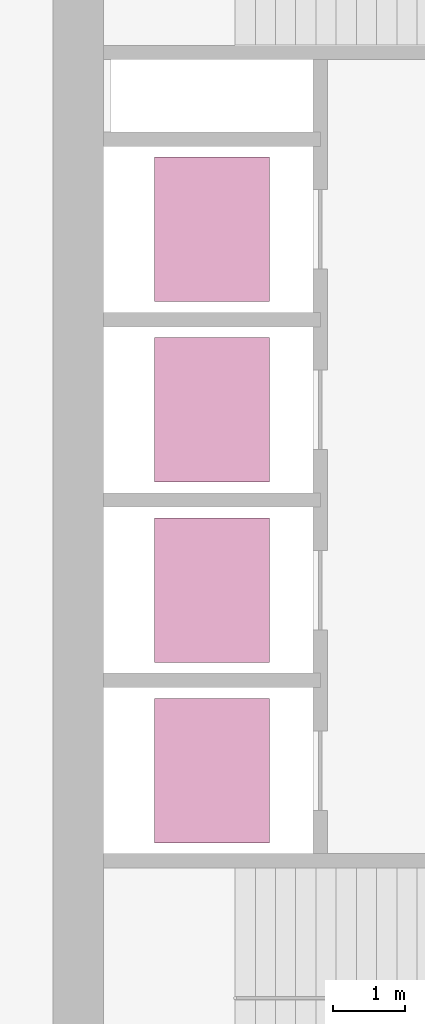
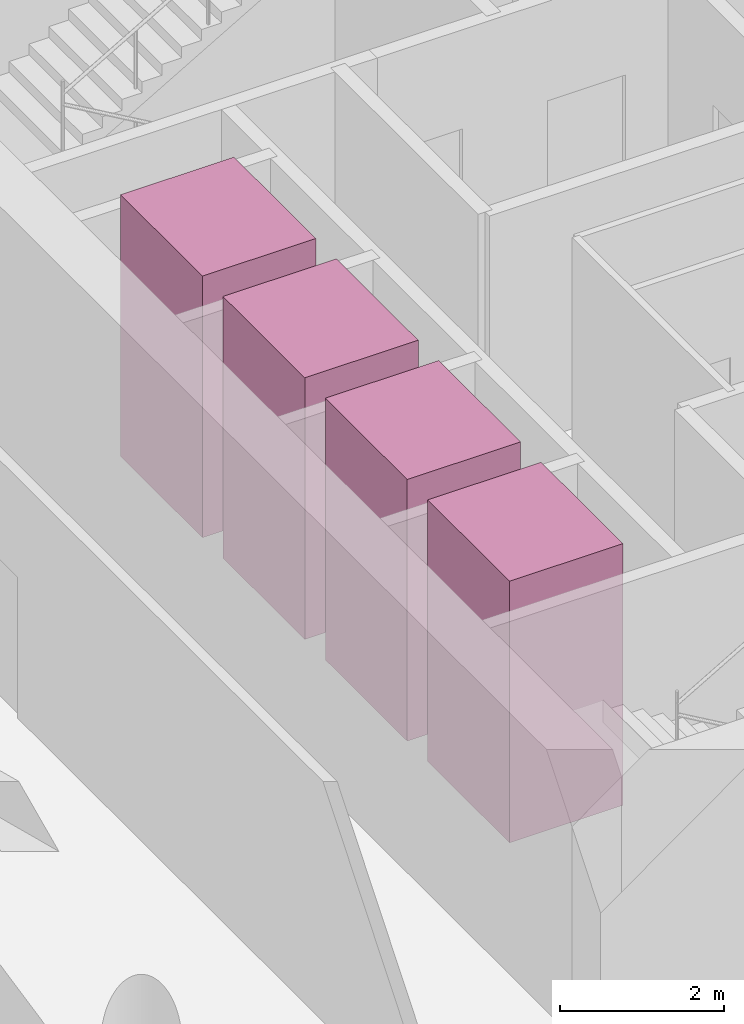
# One storey, part 9 of 9: 4 transport elements.
"""IFC4 building model written with IfcOpenShell, lengths in metres."""

from ifc_helpers import new_model, si_unit, direction, frame, origin, origin_2d, place, context, subcontext, project, spatial, rectangle, extrude, material, type_object, element, save


model = new_model("IFC4")

# Units and contexts
model_context = context("Model", 3, precision=1e-05, world=origin(), true_north=direction((0.0, 1.0)))
body_context = subcontext(model_context, "Body", "Model", "MODEL_VIEW")
ifc_project = project(units=[si_unit("LENGTHUNIT", "METRE"), si_unit("AREAUNIT", "SQUARE_METRE"), si_unit("VOLUMEUNIT", "CUBIC_METRE"), si_unit("PLANEANGLEUNIT", "RADIAN"), si_unit("MASSUNIT", "GRAM", prefix="KILO")], contexts=[model_context])

# Site, building, storey
site_placement = place(None, origin())
site = spatial("IfcSite", under=ifc_project, at=site_placement, CompositionType="ELEMENT")
building_placement = place(site_placement, origin())
building = spatial("IfcBuilding", under=site, at=building_placement, Name="Qaws Garden Tower", CompositionType="ELEMENT")
storey_placement = place(building_placement, frame((0.0, 0.0, 147.300048828125)))
storey = spatial("IfcBuildingStorey", under=building, at=storey_placement, Name="L35", CompositionType="ELEMENT", Elevation=147.300048828125)

# Transport elements
ifc_material = material(Name="Stainless steel 316", Category="steel")
transport_element_type = type_object("IfcTransportElementType", Name="Passenger lift car 2000x1600 1800 kg", PredefinedType="ELEVATOR", material=ifc_material)
for number, where, z_axis, x_axis, name in (
    (1, (10.199951171875, 13.64990234375, 0.0), (0.0, 0.0, 1.0), (1.0, 0.0, 0.0), "MR1"),
    (2, (10.199951171875, 16.14990234375, 0.0), (0.0, 0.0, 1.0), (1.0, 0.0, 0.0), "MR2"),
    (3, (10.199951171875, 18.64990234375, 0.0), (0.0, 0.0, 1.0), (1.0, 0.0, 0.0), "MR3"),
    (4, (10.199951171875, 21.14990234375, 0.0), (0.0, 0.0, 1.0), (1.0, 0.0, 0.0), "MR4"),
):
    element("IfcTransportElement", number, at=place(storey_placement, frame(where, z_axis=z_axis, x_axis=x_axis)), inside=storey, type_object=transport_element_type, Name=name, PredefinedType="ELEVATOR", context=body_context, shape_type="SweptSolid", body=[
        extrude(rectangle(XDim=1.60009765625, YDim=2.0, at=origin_2d()), origin(), (0.0, 0.0, 1.0), 3.89990234375),
    ])

save(model, "model.ifc")
